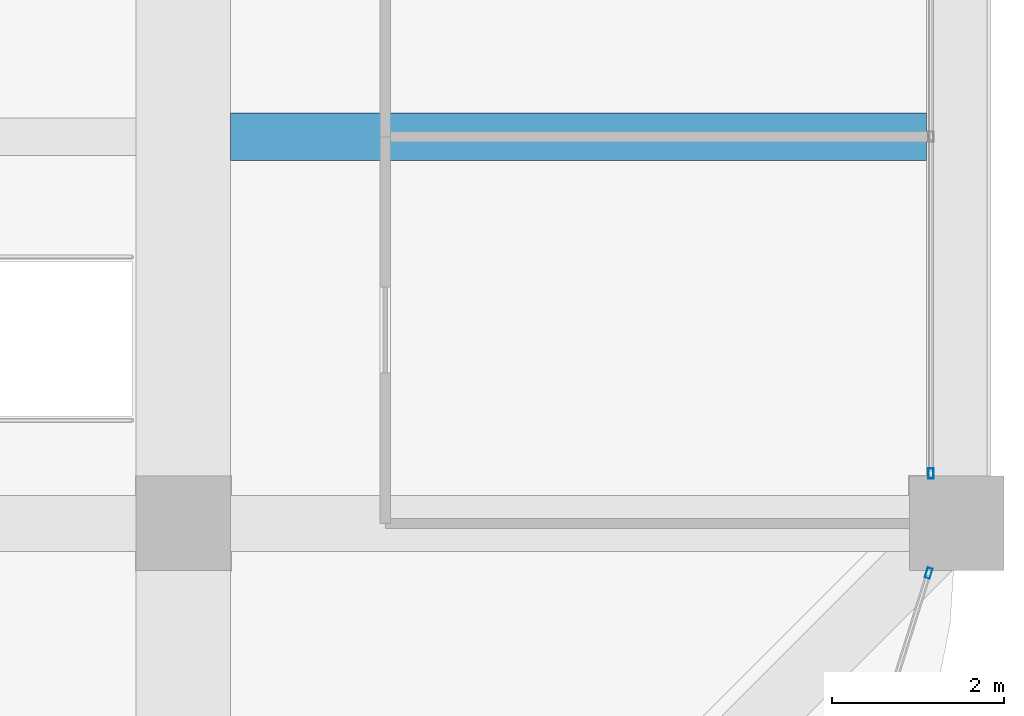
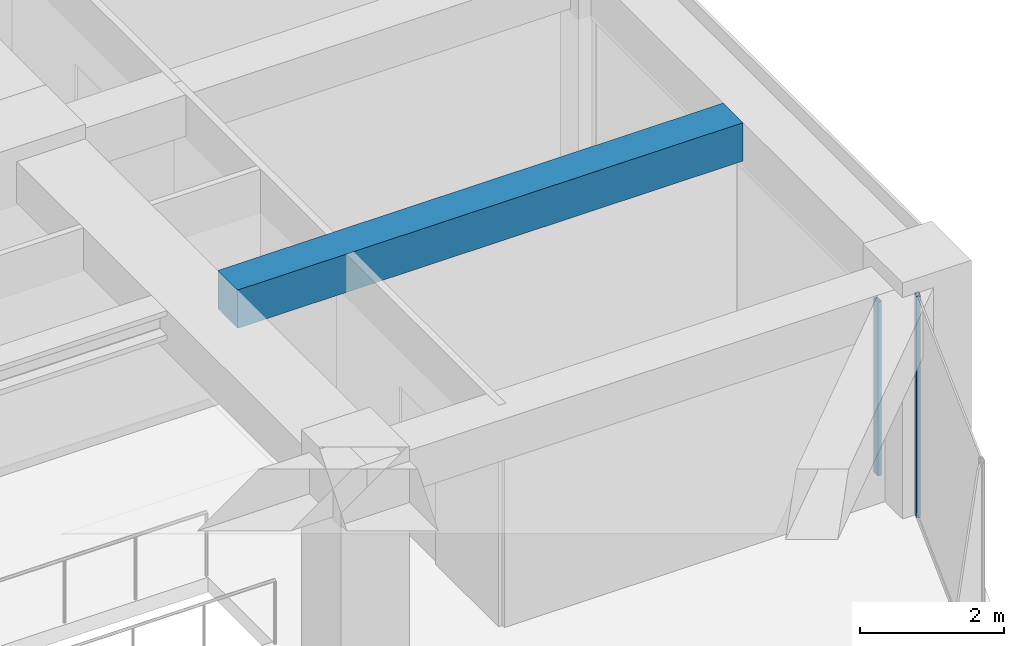
# One storey, part 22 of 44: 2 members, 1 beam, 2 elements without a shape of their own.
"""IFC4 building model written with IfcOpenShell, lengths in metres."""

from ifc_helpers import new_model, si_unit, direction, frame, origin, origin_2d, place, context, subcontext, project, spatial, rectangle, hollow_rectangle, extrude, material, material_profile, profile_set, type_object, element, aggregate, save


model = new_model("IFC4")

# Units and contexts
model_context = context("Model", 3, precision=1e-05, world=origin(), true_north=direction((0.0, 1.0)))
body_context = subcontext(model_context, "Body", "Model", "MODEL_VIEW")
ifc_project = project(units=[si_unit("LENGTHUNIT", "METRE"), si_unit("AREAUNIT", "SQUARE_METRE"), si_unit("VOLUMEUNIT", "CUBIC_METRE"), si_unit("PLANEANGLEUNIT", "RADIAN"), si_unit("MASSUNIT", "GRAM", prefix="KILO")], contexts=[model_context])

# Site, building, storey
site_placement = place(None, origin())
site = spatial("IfcSite", under=ifc_project, at=site_placement, CompositionType="ELEMENT")
building_placement = place(site_placement, origin())
building = spatial("IfcBuilding", under=site, at=building_placement, Name="Zorevar Civic Tower", CompositionType="ELEMENT")
storey_placement = place(building_placement, frame((0.0, 0.0, 255.39990234375)))
storey = spatial("IfcBuildingStorey", under=building, at=storey_placement, Name="L62", CompositionType="ELEMENT", Elevation=255.39990234375)

# Beam
ifc_material_1 = material(Name="Concrete C50/60", Category="concrete")
ifc_material_profile_1 = material_profile(ifc_material_1, rectangle(XDim=0.550048828125, YDim=0.64990234375, at=origin_2d()), Name="RC 550x650")
ifc_profile_set_1 = profile_set([ifc_material_profile_1], Name="Concrete C50/60")
beam_type = type_object("IfcBeamType", Name="Beam RC 550x650", PredefinedType="BEAM", material=ifc_profile_set_1)
beam_placement = place(storey_placement, frame((45.550048828125, 13.5, 3.425048828125), z_axis=(1.0, 0.0, 0.0), x_axis=(0.0, 1.0, 0.0)))
element("IfcBeam", 1, at=beam_placement, inside=storey, type_object=beam_type, Name="Secondary beam L63", PredefinedType="BEAM", context=body_context, shape_type="SweptSolid", body=[
    extrude(rectangle(XDim=0.550048828125, YDim=0.64990234375, at=origin_2d()), origin(), (0.0, 0.0, 1.0), 8.099853515625),
])

# Curtain wall, member
ifc_material_2 = material(Name="Dark grey solar-control glass in black aluminium frame", Category="aluminium")
curtain_wall_type = type_object("IfcCurtainWallType", Name="Curtain wall CW5 top zone", PredefinedType="NOTDEFINED", material=ifc_material_2)
curtain_wall_1_placement = place(storey_placement, origin())
curtain_wall_1 = element("IfcCurtainWall", 2, at=curtain_wall_1_placement, inside=storey, type_object=curtain_wall_type, Name="CW5 L62", PredefinedType="NOTDEFINED")
ifc_material_3 = material(Name="Aluminium, black anodised", Category="aluminium")
ifc_material_profile_2 = material_profile(ifc_material_3, hollow_rectangle(XDim=0.06005859375, YDim=0.1201171875, WallThickness=0.0029296875, at=origin_2d()), Name="AL 120x60x3")
ifc_profile_set_2 = profile_set([ifc_material_profile_2], Name="Aluminium, black anodised")
member_type = type_object("IfcMemberType", Name="CW5 mullion AL 120x60x3", PredefinedType="MULLION", material=ifc_profile_set_2)
member_1_placement = place(storey_placement, frame((53.699951171875, 9.580078125, 0.0), z_axis=(0.0, 0.0, 1.0), x_axis=(-1.0, 0.0, 0.0)))
member_1 = element("IfcMember", 3, at=member_1_placement, type_object=member_type, Name="CW5 mullion 1", PredefinedType="MULLION", context=body_context, shape_type="SweptSolid", body=[
    extrude(hollow_rectangle(XDim=0.06005859375, YDim=0.1201171875, WallThickness=0.0029296875, at=origin_2d()), origin(), (0.0, 0.0, 1.0), 2.9501953125),
])
aggregate(curtain_wall_1, [member_1])

curtain_wall_2_placement = place(storey_placement, origin())
curtain_wall_2 = element("IfcCurtainWall", 4, at=curtain_wall_2_placement, inside=storey, type_object=curtain_wall_type, Name="CW5 L62", PredefinedType="NOTDEFINED")
member_2_placement = place(storey_placement, frame((53.673583984375, 8.42138671875, 0.0), z_axis=(0.0, 0.0, 1.0), x_axis=(-0.954153437674, 0.299317920238, 0.0)))
member_2 = element("IfcMember", 5, at=member_2_placement, type_object=member_type, Name="CW5 mullion 2", PredefinedType="MULLION", context=body_context, shape_type="SweptSolid", body=[
    extrude(hollow_rectangle(XDim=0.06005859375, YDim=0.1201171875, WallThickness=0.0029296875, at=origin_2d()), origin(), (0.0, 0.0, 1.0), 3.75),
])
aggregate(curtain_wall_2, [member_2])

save(model, "model.ifc")
